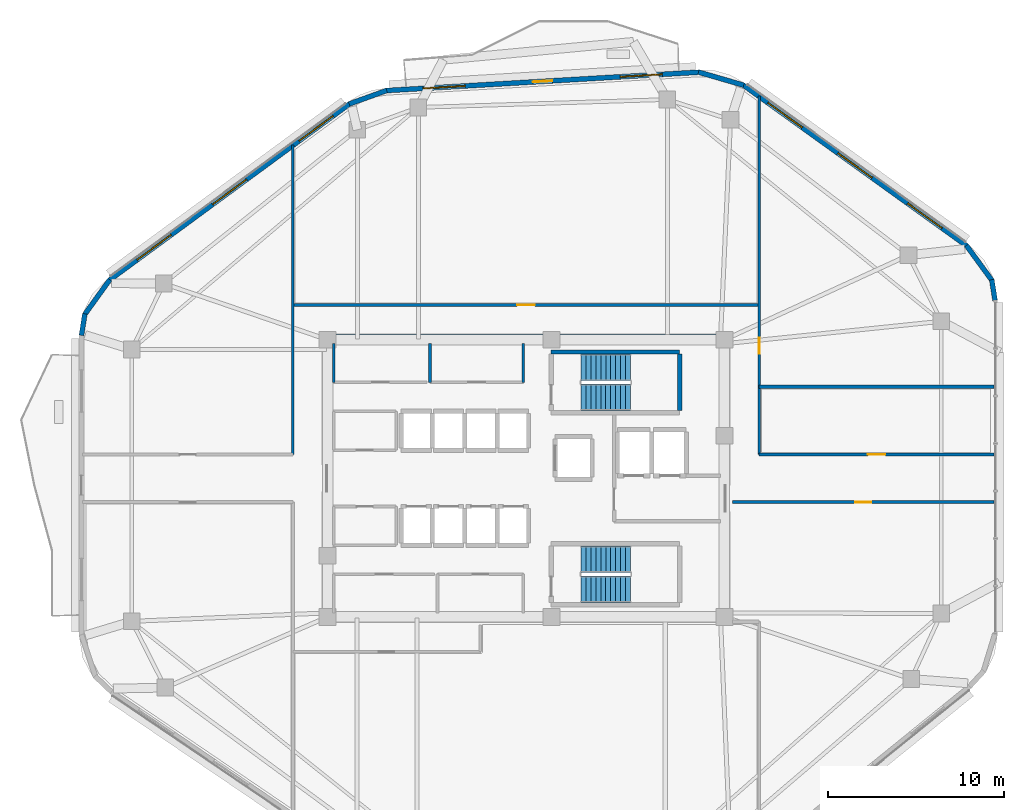
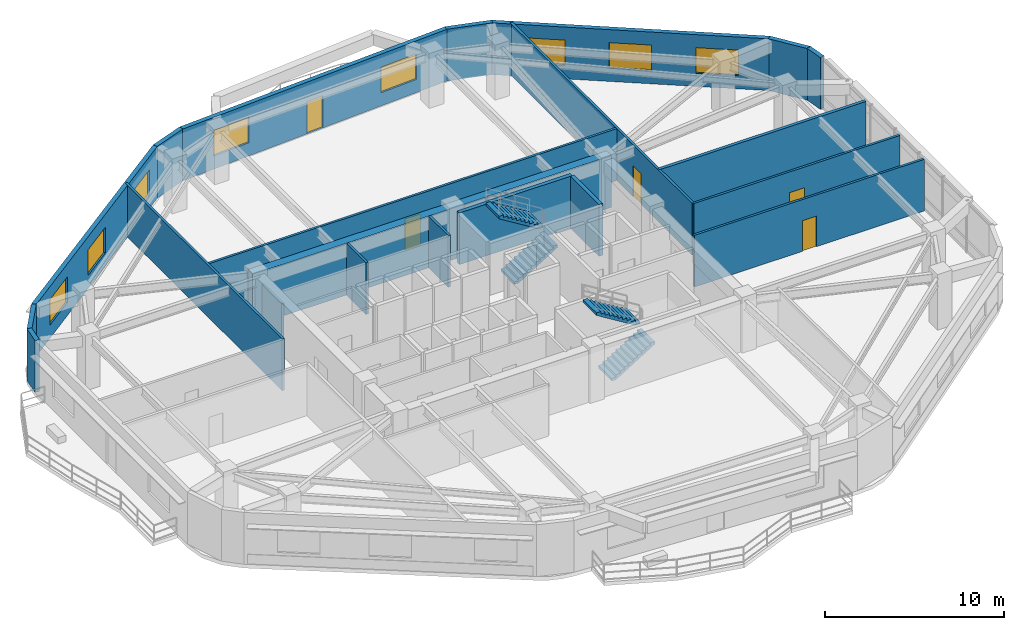
# One storey, part 11 of 14: 21 walls, 8 windows, 5 doors, 4 stair flights, 13 openings, 2 elements without a shape of their own.
"""IFC4 building model written with IfcOpenShell, lengths in metres."""

from ifc_helpers import new_model, si_unit, direction, frame, frame_2d, origin, place, context, subcontext, project, spatial, polyline, rectangle, outline, extrude, material, layer, layer_set, type_object, element, fill, aggregate, save


model = new_model("IFC4")

# Units and contexts
model_context = context("Model", 3, precision=1e-05, world=origin(), true_north=direction((0.0, 1.0)))
body_context = subcontext(model_context, "Body", "Model", "MODEL_VIEW")
ifc_project = project(units=[si_unit("LENGTHUNIT", "METRE"), si_unit("AREAUNIT", "SQUARE_METRE"), si_unit("VOLUMEUNIT", "CUBIC_METRE"), si_unit("PLANEANGLEUNIT", "RADIAN"), si_unit("MASSUNIT", "GRAM", prefix="KILO")], contexts=[model_context])

# Site, building, storey
site_placement = place(None, origin())
site = spatial("IfcSite", under=ifc_project, at=site_placement, CompositionType="ELEMENT")
building_placement = place(site_placement, origin())
building = spatial("IfcBuilding", under=site, at=building_placement, Name="Zulverin Broadcast Headquarters", CompositionType="ELEMENT")
storey_placement = place(building_placement, frame((0.0, 0.0, 201.0)))
storey = spatial("IfcBuildingStorey", under=building, at=storey_placement, Name="L51", CompositionType="ELEMENT", Elevation=201.0)

# Walls
ifc_material_1 = material(Name="Acoustic drywall steel stud", Category="steel")
ifc_layer_1 = layer(ifc_material_1, 0.199951171875, Name="Acoustic drywall steel stud", Category="steel")
ifc_layer_set_1 = layer_set([ifc_layer_1], Name="Acoustic drywall steel stud")
wall_type_1 = type_object("IfcWallType", Name="WL-ACOU-200", PredefinedType="PARTITIONING", material=ifc_layer_set_1)
wall_1_placement = place(storey_placement, frame((50.25, 30.39990234375, 0.0), z_axis=(0.0, 0.0, 1.0), x_axis=(1.0, 0.0, 0.0)))
element("IfcWall", 1, at=wall_1_placement, inside=storey, type_object=wall_type_1, Name="L51 Room Partition Wall RP-12", PredefinedType="PARTITIONING", context=body_context, shape_type="SweptSolid", body=[
    extrude(rectangle(XDim=13.344970703125, YDim=0.199951171875, at=frame_2d((6.67236328125, 0.0))), origin(), (0.0, 0.0, 1.0), 3.5400390625),
])
ifc_material_2 = material(Name="Concrete C60/75", Category="concrete")
ifc_layer_2 = layer(ifc_material_2, 0.550048828125, Name="Concrete C60/75", Category="concrete")
ifc_layer_set_2 = layer_set([ifc_layer_2], Name="Concrete C60/75")
wall_type_2 = type_object("IfcWallType", Name="WL-CORE-550", PredefinedType="SHEAR", material=ifc_layer_set_2)
wall_2_placement = place(storey_placement, frame((25.39990234375, 33.125, 0.0), z_axis=(0.0, 0.0, 1.0), x_axis=(1.0, 0.0, 0.0)))
element("IfcWall", 2, at=wall_2_placement, inside=storey, type_object=wall_type_2, Name="L51 Core North Shear Wall", PredefinedType="SHEAR", context=body_context, shape_type="SweptSolid", body=[
    extrude(rectangle(XDim=23.2001953125, YDim=0.550048828125, at=frame_2d((11.60009765625, 0.0))), origin(), (0.0, 0.0, 1.0), 3.5400390625),
])

# Wall, openings, windows
ifc_material_3 = material(Name="Insulated pale-metal clad concrete spandrel C40/50", Category="concrete")
ifc_layer_3 = layer(ifc_material_3, 0.280029296875, Name="Insulated pale-metal clad concrete spandrel C40/50", Category="concrete")
ifc_layer_set_3 = layer_set([ifc_layer_3], Name="Insulated pale-metal clad concrete spandrel C40/50")
wall_type_3 = type_object("IfcWallType", Name="WL-EXT-280", PredefinedType="STANDARD", material=ifc_layer_set_3)
wall_3_placement = place(storey_placement, frame((62.054443359375, 38.3994140625, 0.0), z_axis=(0.0, 0.0, 1.0), x_axis=(-0.81172124793, 0.584045045915, 0.0)))
wall_3 = element("IfcWall", 3, at=wall_3_placement, inside=storey, type_object=wall_type_3, Name="L51 Pale-Metal Clad Spandrel Wall 4", PredefinedType="STANDARD", context=body_context, shape_type="SweptSolid", body=[
    extrude(rectangle(XDim=15.679443359375, YDim=0.280029296875, at=frame_2d((7.83984375, 0.0))), origin(), (0.0, 0.0, 1.0), 3.5400390625),
])
opening_1_placement = place(wall_3_placement, frame((1.74658203125, 0.0, 0.89990234375)))
opening_1 = element("IfcOpeningElement", 4, at=opening_1_placement, cuts=wall_3, Name="Opening W-L51-E41", PredefinedType="OPENING", context=body_context, shape_type="SweptSolid", body=[
    extrude(rectangle(XDim=2.39990234375, YDim=1.75, at=frame_2d((1.199951171875, 0.875))), frame((0.0, 0.14990234375, 0.0), z_axis=(0.0, -1.0, 0.0), x_axis=(1.0, 0.0, 0.0)), (0.0, 0.0, 1.0), 0.300048828125),
])
opening_2_placement = place(wall_3_placement, frame((6.6396484375, 0.0, 0.89990234375)))
opening_2 = element("IfcOpeningElement", 5, at=opening_2_placement, cuts=wall_3, Name="Opening W-L51-E42", PredefinedType="OPENING", context=body_context, shape_type="SweptSolid", body=[
    extrude(rectangle(XDim=2.39990234375, YDim=1.75, at=frame_2d((1.199951171875, 0.875))), frame((0.0, 0.14990234375, 0.0), z_axis=(0.0, -1.0, 0.0), x_axis=(1.0, 0.0, 0.0)), (0.0, 0.0, 1.0), 0.300048828125),
])
opening_3_placement = place(wall_3_placement, frame((11.53271484375, 0.0, 0.89990234375)))
opening_3 = element("IfcOpeningElement", 6, at=opening_3_placement, cuts=wall_3, Name="Opening W-L51-E43", PredefinedType="OPENING", context=body_context, shape_type="SweptSolid", body=[
    extrude(rectangle(XDim=2.39990234375, YDim=1.75, at=frame_2d((1.199951171875, 0.875))), frame((0.0, 0.14990234375, 0.0), z_axis=(0.0, -1.0, 0.0), x_axis=(1.0, 0.0, 0.0)), (0.0, 0.0, 1.0), 0.300048828125),
])
ifc_material_4 = material(Name="Pale anodized aluminium frame with solar-control low-E double glazing", Category="aluminium")
window_type = type_object("IfcWindowType", Name="WIN-RIB-2400", PartitioningType="SINGLE_PANEL", PredefinedType="WINDOW", material=ifc_material_4)
window_1_placement = place(opening_1_placement, origin())
window_1 = element("IfcWindow", 7, at=window_1_placement, inside=storey, type_object=window_type, Name="L51 Ribbon Glazing Window 4 1", OverallHeight=1.75, OverallWidth=2.39990234375, PartitioningType="SINGLE_PANEL", PredefinedType="WINDOW", context=body_context, shape_type="SweptSolid", body=[
    extrude(rectangle(XDim=2.39990234375, YDim=1.75, at=frame_2d((1.199951171875, 0.875))), frame((0.0, 0.030029296875, 0.0), z_axis=(0.0, -1.0, 0.0), x_axis=(1.0, 0.0, 0.0)), (0.0, 0.0, 1.0), 0.06005859375),
])
fill(opening_1, window_1)
window_2_placement = place(opening_2_placement, origin())
window_2 = element("IfcWindow", 8, at=window_2_placement, inside=storey, type_object=window_type, Name="L51 Ribbon Glazing Window 4 2", OverallHeight=1.75, OverallWidth=2.39990234375, PartitioningType="SINGLE_PANEL", PredefinedType="WINDOW", context=body_context, shape_type="SweptSolid", body=[
    extrude(rectangle(XDim=2.39990234375, YDim=1.75, at=frame_2d((1.199951171875, 0.875))), frame((0.0, 0.030029296875, 0.0), z_axis=(0.0, -1.0, 0.0), x_axis=(1.0, 0.0, 0.0)), (0.0, 0.0, 1.0), 0.06005859375),
])
fill(opening_2, window_2)
window_3_placement = place(opening_3_placement, origin())
window_3 = element("IfcWindow", 9, at=window_3_placement, inside=storey, type_object=window_type, Name="L51 Ribbon Glazing Window 4 3", OverallHeight=1.75, OverallWidth=2.39990234375, PartitioningType="SINGLE_PANEL", PredefinedType="WINDOW", context=body_context, shape_type="SweptSolid", body=[
    extrude(rectangle(XDim=2.39990234375, YDim=1.75, at=frame_2d((1.199951171875, 0.875))), frame((0.0, 0.030029296875, 0.0), z_axis=(0.0, -1.0, 0.0), x_axis=(1.0, 0.0, 0.0)), (0.0, 0.0, 1.0), 0.06005859375),
])
fill(opening_3, window_3)

# Wall, openings, door, windows
wall_4_placement = place(storey_placement, frame((46.84619140625, 48.27685546875, 0.0), z_axis=(0.0, 0.0, 1.0), x_axis=(-0.998273806631, -0.05873165241, 0.0)))
wall_4 = element("IfcWall", 10, at=wall_4_placement, inside=storey, type_object=wall_type_3, Name="L51 Pale-Metal Clad Spandrel Wall 5", PredefinedType="STANDARD", context=body_context, shape_type="SweptSolid", body=[
    extrude(rectangle(XDim=17.8330078125, YDim=0.280029296875, at=frame_2d((8.91650390625, 0.0))), origin(), (0.0, 0.0, 1.0), 3.5400390625),
])
opening_4_placement = place(wall_4_placement, frame((8.366455078125, 0.0, 0.0)))
opening_4 = element("IfcOpeningElement", 11, at=opening_4_placement, cuts=wall_4, Name="Opening D-L51-TR5", PredefinedType="OPENING", context=body_context, shape_type="SweptSolid", body=[
    extrude(rectangle(XDim=1.10009765625, YDim=2.199951171875, at=frame_2d((0.550048828125, 1.10009765625))), frame((0.0, 0.14990234375, 0.0), z_axis=(0.0, -1.0, 0.0), x_axis=(1.0, 0.0, 0.0)), (0.0, 0.0, 1.0), 0.300048828125),
])
opening_5_placement = place(wall_4_placement, frame((2.10546875, 0.0, 0.89990234375)))
opening_5 = element("IfcOpeningElement", 12, at=opening_5_placement, cuts=wall_4, Name="Opening W-L51-E51", PredefinedType="OPENING", context=body_context, shape_type="SweptSolid", body=[
    extrude(rectangle(XDim=2.39990234375, YDim=1.75, at=frame_2d((1.199951171875, 0.875))), frame((0.0, 0.14990234375, 0.0), z_axis=(0.0, -1.0, 0.0), x_axis=(1.0, 0.0, 0.0)), (0.0, 0.0, 1.0), 0.300048828125),
])
opening_6_placement = place(wall_4_placement, frame((13.32763671875, 0.0, 0.89990234375)))
opening_6 = element("IfcOpeningElement", 13, at=opening_6_placement, cuts=wall_4, Name="Opening W-L51-E52", PredefinedType="OPENING", context=body_context, shape_type="SweptSolid", body=[
    extrude(rectangle(XDim=2.39990234375, YDim=1.75, at=frame_2d((1.199951171875, 0.875))), frame((0.0, 0.14990234375, 0.0), z_axis=(0.0, -1.0, 0.0), x_axis=(1.0, 0.0, 0.0)), (0.0, 0.0, 1.0), 0.300048828125),
])
ifc_material_5 = material(Name="Thermally broken aluminium glazed", Category="aluminium")
door_type_1 = type_object("IfcDoorType", Name="DR-TERR-1100", OperationType="SINGLE_SWING_RIGHT", PredefinedType="DOOR", material=ifc_material_5)
door_1_placement = place(opening_4_placement, origin())
door_1 = element("IfcDoor", 14, at=door_1_placement, inside=storey, type_object=door_type_1, Name="L51 Planted Terrace Glazed Access Door 5", OperationType="SINGLE_SWING_RIGHT", OverallHeight=2.199951171875, OverallWidth=1.10009765625, PredefinedType="DOOR", context=body_context, shape_type="SweptSolid", body=[
    extrude(rectangle(XDim=1.10009765625, YDim=2.199951171875, at=frame_2d((0.550048828125, 1.10009765625))), frame((0.0, 0.02490234375, 0.0), z_axis=(0.0, -1.0, 0.0), x_axis=(1.0, 0.0, 0.0)), (0.0, 0.0, 1.0), 0.050048828125),
])
fill(opening_4, door_1)
window_4_placement = place(opening_5_placement, origin())
window_4 = element("IfcWindow", 15, at=window_4_placement, inside=storey, type_object=window_type, Name="L51 Ribbon Glazing Window 5 1", OverallHeight=1.75, OverallWidth=2.39990234375, PartitioningType="SINGLE_PANEL", PredefinedType="WINDOW", context=body_context, shape_type="SweptSolid", body=[
    extrude(rectangle(XDim=2.39990234375, YDim=1.75, at=frame_2d((1.199951171875, 0.875))), frame((0.0, 0.030029296875, 0.0), z_axis=(0.0, -1.0, 0.0), x_axis=(1.0, 0.0, 0.0)), (0.0, 0.0, 1.0), 0.06005859375),
])
fill(opening_5, window_4)
window_5_placement = place(opening_6_placement, origin())
window_5 = element("IfcWindow", 16, at=window_5_placement, inside=storey, type_object=window_type, Name="L51 Ribbon Glazing Window 5 2", OverallHeight=1.75, OverallWidth=2.39990234375, PartitioningType="SINGLE_PANEL", PredefinedType="WINDOW", context=body_context, shape_type="SweptSolid", body=[
    extrude(rectangle(XDim=2.39990234375, YDim=1.75, at=frame_2d((1.199951171875, 0.875))), frame((0.0, 0.030029296875, 0.0), z_axis=(0.0, -1.0, 0.0), x_axis=(1.0, 0.0, 0.0)), (0.0, 0.0, 1.0), 0.06005859375),
])
fill(opening_6, window_5)

# Wall, openings, windows
wall_5_placement = place(storey_placement, frame((26.986083984375, 46.48779296875, 0.0), z_axis=(0.0, 0.0, 1.0), x_axis=(-0.806097783211, -0.59178236194, 0.0)))
wall_5 = element("IfcWall", 17, at=wall_5_placement, inside=storey, type_object=wall_type_3, Name="L51 Pale-Metal Clad Spandrel Wall 6", PredefinedType="STANDARD", context=body_context, shape_type="SweptSolid", body=[
    extrude(rectangle(XDim=16.958740234375, YDim=0.280029296875, at=frame_2d((8.4794921875, 0.0))), origin(), (0.0, 0.0, 1.0), 3.5400390625),
])
opening_7_placement = place(wall_5_placement, frame((1.1796875, 0.0, 0.89990234375)))
opening_7 = element("IfcOpeningElement", 18, at=opening_7_placement, cuts=wall_5, Name="Opening W-L51-E61", PredefinedType="OPENING", context=body_context, shape_type="SweptSolid", body=[
    extrude(rectangle(XDim=2.39990234375, YDim=1.75, at=frame_2d((1.199951171875, 0.875))), frame((0.0, 0.14990234375, 0.0), z_axis=(0.0, -1.0, 0.0), x_axis=(1.0, 0.0, 0.0)), (0.0, 0.0, 1.0), 0.300048828125),
])
opening_8_placement = place(wall_5_placement, frame((7.279296875, 0.0, 0.89990234375)))
opening_8 = element("IfcOpeningElement", 19, at=opening_8_placement, cuts=wall_5, Name="Opening W-L51-E62", PredefinedType="OPENING", context=body_context, shape_type="SweptSolid", body=[
    extrude(rectangle(XDim=2.39990234375, YDim=1.75, at=frame_2d((1.199951171875, 0.875))), frame((0.0, 0.14990234375, 0.0), z_axis=(0.0, -1.0, 0.0), x_axis=(1.0, 0.0, 0.0)), (0.0, 0.0, 1.0), 0.300048828125),
])
opening_9_placement = place(wall_5_placement, frame((12.59912109375, 0.0, 0.89990234375)))
opening_9 = element("IfcOpeningElement", 20, at=opening_9_placement, cuts=wall_5, Name="Opening W-L51-E63", PredefinedType="OPENING", context=body_context, shape_type="SweptSolid", body=[
    extrude(rectangle(XDim=2.39990234375, YDim=1.75, at=frame_2d((1.199951171875, 0.875))), frame((0.0, 0.14990234375, 0.0), z_axis=(0.0, -1.0, 0.0), x_axis=(1.0, 0.0, 0.0)), (0.0, 0.0, 1.0), 0.300048828125),
])
window_6_placement = place(opening_7_placement, origin())
window_6 = element("IfcWindow", 21, at=window_6_placement, inside=storey, type_object=window_type, Name="L51 Ribbon Glazing Window 6 1", OverallHeight=1.75, OverallWidth=2.39990234375, PartitioningType="SINGLE_PANEL", PredefinedType="WINDOW", context=body_context, shape_type="SweptSolid", body=[
    extrude(rectangle(XDim=2.39990234375, YDim=1.75, at=frame_2d((1.199951171875, 0.875))), frame((0.0, 0.030029296875, 0.0), z_axis=(0.0, -1.0, 0.0), x_axis=(1.0, 0.0, 0.0)), (0.0, 0.0, 1.0), 0.06005859375),
])
fill(opening_7, window_6)
window_7_placement = place(opening_8_placement, origin())
window_7 = element("IfcWindow", 22, at=window_7_placement, inside=storey, type_object=window_type, Name="L51 Ribbon Glazing Window 6 2", OverallHeight=1.75, OverallWidth=2.39990234375, PartitioningType="SINGLE_PANEL", PredefinedType="WINDOW", context=body_context, shape_type="SweptSolid", body=[
    extrude(rectangle(XDim=2.39990234375, YDim=1.75, at=frame_2d((1.199951171875, 0.875))), frame((0.0, 0.030029296875, 0.0), z_axis=(0.0, -1.0, 0.0), x_axis=(1.0, 0.0, 0.0)), (0.0, 0.0, 1.0), 0.06005859375),
])
fill(opening_8, window_7)
window_8_placement = place(opening_9_placement, origin())
window_8 = element("IfcWindow", 23, at=window_8_placement, inside=storey, type_object=window_type, Name="L51 Ribbon Glazing Window 6 3", OverallHeight=1.75, OverallWidth=2.39990234375, PartitioningType="SINGLE_PANEL", PredefinedType="WINDOW", context=body_context, shape_type="SweptSolid", body=[
    extrude(rectangle(XDim=2.39990234375, YDim=1.75, at=frame_2d((1.199951171875, 0.875))), frame((0.0, 0.030029296875, 0.0), z_axis=(0.0, -1.0, 0.0), x_axis=(1.0, 0.0, 0.0)), (0.0, 0.0, 1.0), 0.06005859375),
])
fill(opening_9, window_8)

# Walls
wall_6_placement = place(storey_placement, frame((63.651611328125, 35.308349609375, 0.0), z_axis=(0.0, 0.0, 1.0), x_axis=(-0.157223956062, 0.987562974012, 0.0)))
element("IfcWall", 24, at=wall_6_placement, inside=storey, type_object=wall_type_3, Name="L51 Wind-Shaped Corner Spandrel Wall 3-1", PredefinedType="STANDARD", context=body_context, shape_type="SweptSolid", body=[
    extrude(rectangle(XDim=1.192626953125, YDim=0.280029296875, at=frame_2d((0.59619140625, 0.0))), origin(), (0.0, 0.0, 1.0), 3.5400390625),
])
wall_7_placement = place(storey_placement, frame((63.4892578125, 36.425537109375, 0.0), z_axis=(0.0, 0.0, 1.0), x_axis=(-0.590267940876, 0.80720738226, 0.0)))
element("IfcWall", 25, at=wall_7_placement, inside=storey, type_object=wall_type_3, Name="L51 Wind-Shaped Corner Spandrel Wall 3-2", PredefinedType="STANDARD", context=body_context, shape_type="SweptSolid", body=[
    extrude(rectangle(XDim=2.483642578125, YDim=0.280029296875, at=frame_2d((1.24169921875, 0.0))), origin(), (0.0, 0.0, 1.0), 3.5400390625),
])
wall_8_placement = place(storey_placement, frame((49.3701171875, 47.535888671875, 0.0), z_axis=(0.0, 0.0, 1.0), x_axis=(-0.960380089791, 0.278693529048, 0.0)))
element("IfcWall", 26, at=wall_8_placement, inside=storey, type_object=wall_type_3, Name="L51 Wind-Shaped Corner Spandrel Wall 4-1", PredefinedType="STANDARD", context=body_context, shape_type="SweptSolid", body=[
    extrude(rectangle(XDim=2.677001953125, YDim=0.280029296875, at=frame_2d((1.33837890625, 0.0))), origin(), (0.0, 0.0, 1.0), 3.5400390625),
])
wall_9_placement = place(storey_placement, frame((29.083251953125, 47.23779296875, 0.0), z_axis=(0.0, 0.0, 1.0), x_axis=(-0.940723909279, -0.33917329864, 0.0)))
element("IfcWall", 27, at=wall_9_placement, inside=storey, type_object=wall_type_3, Name="L51 Wind-Shaped Corner Spandrel Wall 5-1", PredefinedType="STANDARD", context=body_context, shape_type="SweptSolid", body=[
    extrude(rectangle(XDim=2.2666015625, YDim=0.280029296875, at=frame_2d((1.13330078125, 0.0))), origin(), (0.0, 0.0, 1.0), 3.5400390625),
])
wall_10_placement = place(storey_placement, frame((13.346435546875, 36.48291015625, 0.0), z_axis=(0.0, 0.0, 1.0), x_axis=(-0.585128091556, -0.810940883463, 0.0)))
element("IfcWall", 28, at=wall_10_placement, inside=storey, type_object=wall_type_3, Name="L51 Wind-Shaped Corner Spandrel Wall 6-1", PredefinedType="STANDARD", context=body_context, shape_type="SweptSolid", body=[
    extrude(rectangle(XDim=2.459716796875, YDim=0.280029296875, at=frame_2d((1.22998046875, 0.0))), origin(), (0.0, 0.0, 1.0), 3.5400390625),
])
wall_11_placement = place(storey_placement, frame((11.931884765625, 34.54833984375, 0.0), z_axis=(0.0, 0.0, 1.0), x_axis=(-0.155519443181, -0.987832831401, 0.0)))
element("IfcWall", 29, at=wall_11_placement, inside=storey, type_object=wall_type_3, Name="L51 Wind-Shaped Corner Spandrel Wall 6-2", PredefinedType="STANDARD", context=body_context, shape_type="SweptSolid", body=[
    extrude(rectangle(XDim=1.244873046875, YDim=0.280029296875, at=frame_2d((0.62255859375, 0.0))), origin(), (0.0, 0.0, 1.0), 3.5400390625),
])
ifc_material_6 = material(Name="Fire-rated gypsum stud partition", Category="gypsum")
ifc_layer_4 = layer(ifc_material_6, 0.14990234375, Name="Fire-rated gypsum stud partition", Category="gypsum")
ifc_layer_set_4 = layer_set([ifc_layer_4], Name="Fire-rated gypsum stud partition")
wall_type_4 = type_object("IfcWallType", Name="WL-PART-150", PredefinedType="PARTITIONING", material=ifc_layer_set_4)
wall_12_placement = place(storey_placement, frame((26.070068359375, 30.64990234375, 0.0), z_axis=(0.0, 0.0, 1.0), x_axis=(0.0, 1.0, 0.0)))
element("IfcWall", 30, at=wall_12_placement, inside=storey, type_object=wall_type_4, Name="L51 Core Male WC West Wall", PredefinedType="PARTITIONING", context=body_context, shape_type="SweptSolid", body=[
    extrude(rectangle(XDim=2.2001953125, YDim=0.14990234375, at=frame_2d((1.10009765625, 0.0))), origin(), (0.0, 0.0, 1.0), 2.639892578125),
])
for number, where, z_axis, x_axis, name in (
    (31, (31.5400390625, 30.64990234375, 0.0), (0.0, 0.0, 1.0), (0.0, 1.0, 0.0), "L51 Core Accessible WC West Wall"),
    (32, (36.85009765625, 30.64990234375, 0.0), (0.0, 0.0, 1.0), (0.0, 1.0, 0.0), "L51 Core Accessible WC East Wall"),
):
    element("IfcWall", number, at=place(storey_placement, frame(where, z_axis=z_axis, x_axis=x_axis)), inside=storey, type_object=wall_type_4, Name=name, PredefinedType="PARTITIONING", context=body_context, shape_type="SweptSolid", body=[
        extrude(rectangle(XDim=2.2001953125, YDim=0.14990234375, at=frame_2d((1.10009765625, 0.0))), origin(), (0.0, 0.0, 1.0), 3.5400390625),
    ])

# Wall, opening, door
wall_13_placement = place(storey_placement, frame((50.25, 26.550048828125, 0.0), z_axis=(0.0, 0.0, 1.0), x_axis=(0.0, 1.0, 0.0)))
wall_13 = element("IfcWall", 33, at=wall_13_placement, inside=storey, type_object=wall_type_4, Name="L51 Gallery Partition Wall CG-02", PredefinedType="PARTITIONING", context=body_context, shape_type="SweptSolid", body=[
    extrude(rectangle(XDim=20.375244140625, YDim=0.14990234375, at=frame_2d((10.1875, 0.0))), origin(), (0.0, 0.0, 1.0), 3.5400390625),
])
opening_10_placement = place(wall_13_placement, frame((5.72509765625, 0.0, 0.0)))
opening_10 = element("IfcOpeningElement", 34, at=opening_10_placement, cuts=wall_13, Name="Opening D-L51-07", PredefinedType="OPENING", context=body_context, shape_type="SweptSolid", body=[
    extrude(rectangle(XDim=0.89990234375, YDim=2.10009765625, at=frame_2d((0.449951171875, 1.050048828125))), frame((0.0, 0.0849609375, 0.0), z_axis=(0.0, -1.0, 0.0), x_axis=(1.0, 0.0, 0.0)), (0.0, 0.0, 1.0), 0.169921875),
])
ifc_material_7 = material(Name="Fire-rated hardwood veneer timber leaf", Category="wood")
door_type_2 = type_object("IfcDoorType", Name="DR-ROOM-900", OperationType="SINGLE_SWING_RIGHT", PredefinedType="DOOR", material=ifc_material_7)
door_2_placement = place(opening_10_placement, origin())
door_2 = element("IfcDoor", 35, at=door_2_placement, inside=storey, type_object=door_type_2, Name="L51 Cloud Playout Control Suite Door", OperationType="SINGLE_SWING_LEFT", OverallHeight=2.10009765625, OverallWidth=0.89990234375, PredefinedType="DOOR", context=body_context, shape_type="SweptSolid", body=[
    extrude(rectangle(XDim=0.89990234375, YDim=2.10009765625, at=frame_2d((0.449951171875, 1.050048828125))), frame((0.0, 0.02490234375, 0.0), z_axis=(0.0, -1.0, 0.0), x_axis=(1.0, 0.0, 0.0)), (0.0, 0.0, 1.0), 0.050048828125),
])
fill(opening_10, door_2)

# Wall
wall_14_placement = place(storey_placement, frame((23.75, 26.550048828125, 0.0), z_axis=(0.0, 0.0, 1.0), x_axis=(0.0, 1.0, 0.0)))
element("IfcWall", 36, at=wall_14_placement, inside=storey, type_object=wall_type_4, Name="L51 Gallery Partition Wall CG-05", PredefinedType="PARTITIONING", context=body_context, shape_type="SweptSolid", body=[
    extrude(rectangle(XDim=17.595703125, YDim=0.14990234375, at=frame_2d((8.7978515625, 0.0))), origin(), (0.0, 0.0, 1.0), 3.5400390625),
])

# Wall, opening, door
wall_15_placement = place(storey_placement, frame((48.739990234375, 23.85009765625, 0.0), z_axis=(0.0, 0.0, 1.0), x_axis=(1.0, 0.0, 0.0)))
wall_15 = element("IfcWall", 37, at=wall_15_placement, inside=storey, type_object=wall_type_4, Name="L51 Gallery Partition Wall CG-09", PredefinedType="PARTITIONING", context=body_context, shape_type="SweptSolid", body=[
    extrude(rectangle(XDim=14.85498046875, YDim=0.14990234375, at=frame_2d((7.427490234375, 0.0))), origin(), (0.0, 0.0, 1.0), 3.5400390625),
])
opening_11_placement = place(wall_15_placement, frame((6.9775390625, 0.0, 0.0)))
opening_11 = element("IfcOpeningElement", 38, at=opening_11_placement, cuts=wall_15, Name="Opening D-L51-05", PredefinedType="OPENING", context=body_context, shape_type="SweptSolid", body=[
    extrude(rectangle(XDim=0.89990234375, YDim=2.10009765625, at=frame_2d((0.449951171875, 1.050048828125))), frame((0.0, 0.0849609375, 0.0), z_axis=(0.0, -1.0, 0.0), x_axis=(1.0, 0.0, 0.0)), (0.0, 0.0, 1.0), 0.169921875),
])
door_3_placement = place(opening_11_placement, origin())
door_3 = element("IfcDoor", 39, at=door_3_placement, inside=storey, type_object=door_type_2, Name="L51 Tea Pantry Door", OperationType="SINGLE_SWING_LEFT", OverallHeight=2.10009765625, OverallWidth=0.89990234375, PredefinedType="DOOR", context=body_context, shape_type="SweptSolid", body=[
    extrude(rectangle(XDim=0.89990234375, YDim=2.10009765625, at=frame_2d((0.449951171875, 1.050048828125))), frame((0.0, 0.02490234375, 0.0), z_axis=(0.0, -1.0, 0.0), x_axis=(1.0, 0.0, 0.0)), (0.0, 0.0, 1.0), 0.050048828125),
])
fill(opening_11, door_3)

wall_16_placement = place(storey_placement, frame((50.25, 26.550048828125, 0.0), z_axis=(0.0, 0.0, 1.0), x_axis=(1.0, 0.0, 0.0)))
wall_16 = element("IfcWall", 40, at=wall_16_placement, inside=storey, type_object=wall_type_4, Name="L51 Gallery Partition Wall CG-11", PredefinedType="PARTITIONING", context=body_context, shape_type="SweptSolid", body=[
    extrude(rectangle(XDim=13.344970703125, YDim=0.14990234375, at=frame_2d((6.67236328125, 0.0))), origin(), (0.0, 0.0, 1.0), 3.5400390625),
])
opening_12_placement = place(wall_16_placement, frame((6.172607421875, 0.0, 0.0)))
opening_12 = element("IfcOpeningElement", 41, at=opening_12_placement, cuts=wall_16, Name="Opening D-L51-06", PredefinedType="OPENING", context=body_context, shape_type="SweptSolid", body=[
    extrude(rectangle(XDim=1.0, YDim=2.1201171875, at=frame_2d((0.5, 1.06005859375))), frame((0.0, 0.0849609375, 0.0), z_axis=(0.0, -1.0, 0.0), x_axis=(1.0, 0.0, 0.0)), (0.0, 0.0, 1.0), 0.169921875),
])
ifc_material_8 = material(Name="Hardwood veneer acoustic leaf", Category="wood")
door_type_3 = type_object("IfcDoorType", Name="DR-OFF-1000", OperationType="SINGLE_SWING_LEFT", PredefinedType="DOOR", material=ifc_material_8)
door_4_placement = place(opening_12_placement, origin())
door_4 = element("IfcDoor", 42, at=door_4_placement, inside=storey, type_object=door_type_3, Name="L51 Digital Streaming Workplace Door", OperationType="SINGLE_SWING_RIGHT", OverallHeight=2.1201171875, OverallWidth=1.0, PredefinedType="DOOR", context=body_context, shape_type="SweptSolid", body=[
    extrude(rectangle(XDim=1.0, YDim=2.1201171875, at=frame_2d((0.5, 1.06005859375))), frame((0.0, 0.02490234375, 0.0), z_axis=(0.0, -1.0, 0.0), x_axis=(1.0, 0.0, 0.0)), (0.0, 0.0, 1.0), 0.050048828125),
])
fill(opening_12, door_4)

wall_17_placement = place(storey_placement, frame((23.75, 35.050048828125, 0.0), z_axis=(0.0, 0.0, 1.0), x_axis=(1.0, 0.0, 0.0)))
wall_17 = element("IfcWall", 43, at=wall_17_placement, inside=storey, type_object=wall_type_4, Name="L51 Gallery Partition Wall CG-13", PredefinedType="PARTITIONING", context=body_context, shape_type="SweptSolid", body=[
    extrude(rectangle(XDim=26.5, YDim=0.14990234375, at=frame_2d((13.25, 0.0))), origin(), (0.0, 0.0, 1.0), 3.5400390625),
])
opening_13_placement = place(wall_17_placement, frame((12.75, 0.0, 0.0)))
opening_13 = element("IfcOpeningElement", 44, at=opening_13_placement, cuts=wall_17, Name="Opening D-L51-01", PredefinedType="OPENING", context=body_context, shape_type="SweptSolid", body=[
    extrude(rectangle(XDim=1.0, YDim=2.1201171875, at=frame_2d((0.5, 1.06005859375))), frame((0.0, 0.0849609375, 0.0), z_axis=(0.0, -1.0, 0.0), x_axis=(1.0, 0.0, 0.0)), (0.0, 0.0, 1.0), 0.169921875),
])
door_5_placement = place(opening_13_placement, origin())
door_5 = element("IfcDoor", 45, at=door_5_placement, inside=storey, type_object=door_type_3, Name="L51 Digital Streaming Workplace Door", OperationType="SINGLE_SWING_LEFT", OverallHeight=2.1201171875, OverallWidth=1.0, PredefinedType="DOOR", context=body_context, shape_type="SweptSolid", body=[
    extrude(rectangle(XDim=1.0, YDim=2.1201171875, at=frame_2d((0.5, 1.06005859375))), frame((0.0, 0.02490234375, 0.0), z_axis=(0.0, -1.0, 0.0), x_axis=(1.0, 0.0, 0.0)), (0.0, 0.0, 1.0), 0.050048828125),
])
fill(opening_13, door_5)

# Walls
ifc_material_9 = material(Name="Concrete C50/60", Category="concrete")
ifc_layer_5 = layer(ifc_material_9, 0.25, Name="Concrete C50/60", Category="concrete")
ifc_layer_set_5 = layer_set([ifc_layer_5], Name="Concrete C50/60")
wall_type_5 = type_object("IfcWallType", Name="WL-SHAFT-250", PredefinedType="SHEAR", material=ifc_layer_set_5)
wall_18_placement = place(storey_placement, frame((38.425048828125, 32.375, 0.0), z_axis=(0.0, 0.0, 1.0), x_axis=(1.0, 0.0, 0.0)))
element("IfcWall", 46, at=wall_18_placement, inside=storey, type_object=wall_type_5, Name="L51 ST-1 Enclosure Wall N", PredefinedType="SHEAR", context=body_context, shape_type="SweptSolid", body=[
    extrude(rectangle(XDim=7.300048828125, YDim=0.25, at=frame_2d((3.64990234375, 0.0))), origin(), (0.0, 0.0, 1.0), 3.5400390625),
])
wall_19_placement = place(storey_placement, frame((45.72509765625, 29.050048828125, 0.0), z_axis=(0.0, 0.0, 1.0), x_axis=(0.0, 1.0, 0.0)))
element("IfcWall", 47, at=wall_19_placement, inside=storey, type_object=wall_type_5, Name="L51 ST-1 Enclosure Wall E", PredefinedType="SHEAR", context=body_context, shape_type="SweptSolid", body=[
    extrude(rectangle(XDim=3.199951171875, YDim=0.25, at=frame_2d((1.60009765625, 0.0))), origin(), (0.0, 0.0, 1.0), 3.5400390625),
])

# Stair, stair flights
ifc_material_10 = material(Name="Concrete C40/50", Category="concrete")
stair_type = type_object("IfcStairType", Name="ST-CORE-1500", PredefinedType="HALF_TURN_STAIR", material=ifc_material_10)
stair_1_placement = place(storey_placement, origin())
stair_1 = element("IfcStair", 48, at=stair_1_placement, inside=storey, type_object=stair_type, Name="L51 Core Exit Stair ST-1", PredefinedType="HALF_TURN_STAIR")
stair_flight_type = type_object("IfcStairFlightType", Name="SF-CORE-1500", PredefinedType="STRAIGHT", material=ifc_material_10)
stair_flight_1_placement = place(storey_placement, frame((40.1298828125, 29.800048828125, 0.0), z_axis=(0.0, 0.0, 1.0), x_axis=(1.0, 0.0, 0.0)))
stair_flight_1 = element("IfcStairFlight", 49, at=stair_flight_1_placement, type_object=stair_flight_type, Name="ST-1 flight 1", NumberOfRisers=11, NumberOfTreads=10, PredefinedType="STRAIGHT", RiserHeight=0.172727273, TreadLength=0.28, context=body_context, shape_type="SweptSolid", body=[
    extrude(outline(polyline([(0.0, 0.0), (0.0, 0.172607421875), (0.280029296875, 0.172607421875), (0.280029296875, 0.345458984375), (0.56005859375, 0.345458984375), (0.56005859375, 0.51806640625), (0.840087890625, 0.51806640625), (0.840087890625, 0.69091796875), (1.1201171875, 0.69091796875), (1.1201171875, 0.863525390625), (1.39990234375, 0.863525390625), (1.39990234375, 1.036376953125), (1.679931640625, 1.036376953125), (1.679931640625, 1.208984375), (1.9599609375, 1.208984375), (1.9599609375, 1.3818359375), (2.239990234375, 1.3818359375), (2.239990234375, 1.554443359375), (2.52001953125, 1.554443359375), (2.52001953125, 1.727294921875), (2.800048828125, 1.727294921875), (2.800048828125, 1.89990234375), (2.800048828125, 1.551025390625), (0.285400390625, 0.0), (0.0, 0.0)])), frame((0.0, 0.75, 0.0), z_axis=(0.0, -1.0, 0.0), x_axis=(1.0, 0.0, 0.0)), (0.0, 0.0, 1.0), 1.5),
])
stair_flight_2_placement = place(storey_placement, frame((42.929931640625, 31.5, 1.89990234375), z_axis=(0.0, 0.0, 1.0), x_axis=(-1.0, 0.0, 0.0)))
stair_flight_2 = element("IfcStairFlight", 50, at=stair_flight_2_placement, type_object=stair_flight_type, Name="ST-1 flight 2", NumberOfRisers=11, NumberOfTreads=10, PredefinedType="STRAIGHT", RiserHeight=0.172727273, TreadLength=0.28, context=body_context, shape_type="SweptSolid", body=[
    extrude(outline(polyline([(0.0, 0.0), (0.0, 0.172607421875), (0.280029296875, 0.172607421875), (0.280029296875, 0.345458984375), (0.56005859375, 0.345458984375), (0.56005859375, 0.51806640625), (0.840087890625, 0.51806640625), (0.840087890625, 0.69091796875), (1.1201171875, 0.69091796875), (1.1201171875, 0.863525390625), (1.39990234375, 0.863525390625), (1.39990234375, 1.036376953125), (1.679931640625, 1.036376953125), (1.679931640625, 1.208984375), (1.9599609375, 1.208984375), (1.9599609375, 1.3818359375), (2.239990234375, 1.3818359375), (2.239990234375, 1.554443359375), (2.52001953125, 1.554443359375), (2.52001953125, 1.727294921875), (2.800048828125, 1.727294921875), (2.800048828125, 1.89990234375), (2.800048828125, 1.551025390625), (0.285400390625, 0.0), (0.0, 0.0)])), frame((0.0, 0.75, 0.0), z_axis=(0.0, -1.0, 0.0), x_axis=(1.0, 0.0, 0.0)), (0.0, 0.0, 1.0), 1.5),
])
aggregate(stair_1, [stair_flight_1, stair_flight_2])

stair_2_placement = place(storey_placement, origin())
stair_2 = element("IfcStair", 51, at=stair_2_placement, inside=storey, type_object=stair_type, Name="L51 Core Exit Stair ST-2", PredefinedType="HALF_TURN_STAIR")
stair_flight_3_placement = place(storey_placement, frame((40.1298828125, 18.89990234375, 0.0), z_axis=(0.0, 0.0, 1.0), x_axis=(1.0, 0.0, 0.0)))
stair_flight_3 = element("IfcStairFlight", 52, at=stair_flight_3_placement, type_object=stair_flight_type, Name="ST-2 flight 1", NumberOfRisers=11, NumberOfTreads=10, PredefinedType="STRAIGHT", RiserHeight=0.172727273, TreadLength=0.28, context=body_context, shape_type="SweptSolid", body=[
    extrude(outline(polyline([(0.0, 0.0), (0.0, 0.172607421875), (0.280029296875, 0.172607421875), (0.280029296875, 0.345458984375), (0.56005859375, 0.345458984375), (0.56005859375, 0.51806640625), (0.840087890625, 0.51806640625), (0.840087890625, 0.69091796875), (1.1201171875, 0.69091796875), (1.1201171875, 0.863525390625), (1.39990234375, 0.863525390625), (1.39990234375, 1.036376953125), (1.679931640625, 1.036376953125), (1.679931640625, 1.208984375), (1.9599609375, 1.208984375), (1.9599609375, 1.3818359375), (2.239990234375, 1.3818359375), (2.239990234375, 1.554443359375), (2.52001953125, 1.554443359375), (2.52001953125, 1.727294921875), (2.800048828125, 1.727294921875), (2.800048828125, 1.89990234375), (2.800048828125, 1.551025390625), (0.285400390625, 0.0), (0.0, 0.0)])), frame((0.0, 0.75, 0.0), z_axis=(0.0, -1.0, 0.0), x_axis=(1.0, 0.0, 0.0)), (0.0, 0.0, 1.0), 1.5),
])
stair_flight_4_placement = place(storey_placement, frame((42.929931640625, 20.60009765625, 1.89990234375), z_axis=(0.0, 0.0, 1.0), x_axis=(-1.0, 0.0, 0.0)))
stair_flight_4 = element("IfcStairFlight", 53, at=stair_flight_4_placement, type_object=stair_flight_type, Name="ST-2 flight 2", NumberOfRisers=11, NumberOfTreads=10, PredefinedType="STRAIGHT", RiserHeight=0.172727273, TreadLength=0.28, context=body_context, shape_type="SweptSolid", body=[
    extrude(outline(polyline([(0.0, 0.0), (0.0, 0.172607421875), (0.280029296875, 0.172607421875), (0.280029296875, 0.345458984375), (0.56005859375, 0.345458984375), (0.56005859375, 0.51806640625), (0.840087890625, 0.51806640625), (0.840087890625, 0.69091796875), (1.1201171875, 0.69091796875), (1.1201171875, 0.863525390625), (1.39990234375, 0.863525390625), (1.39990234375, 1.036376953125), (1.679931640625, 1.036376953125), (1.679931640625, 1.208984375), (1.9599609375, 1.208984375), (1.9599609375, 1.3818359375), (2.239990234375, 1.3818359375), (2.239990234375, 1.554443359375), (2.52001953125, 1.554443359375), (2.52001953125, 1.727294921875), (2.800048828125, 1.727294921875), (2.800048828125, 1.89990234375), (2.800048828125, 1.551025390625), (0.285400390625, 0.0), (0.0, 0.0)])), frame((0.0, 0.75, 0.0), z_axis=(0.0, -1.0, 0.0), x_axis=(1.0, 0.0, 0.0)), (0.0, 0.0, 1.0), 1.5),
])
aggregate(stair_2, [stair_flight_3, stair_flight_4])

save(model, "model.ifc")
